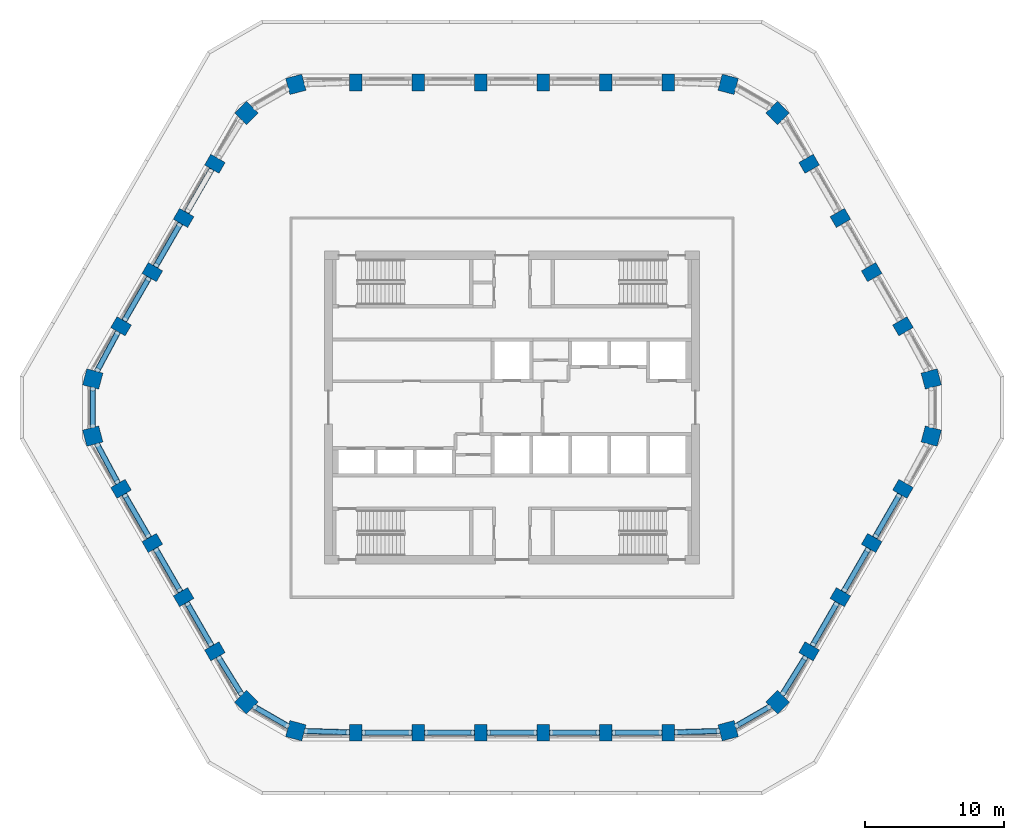
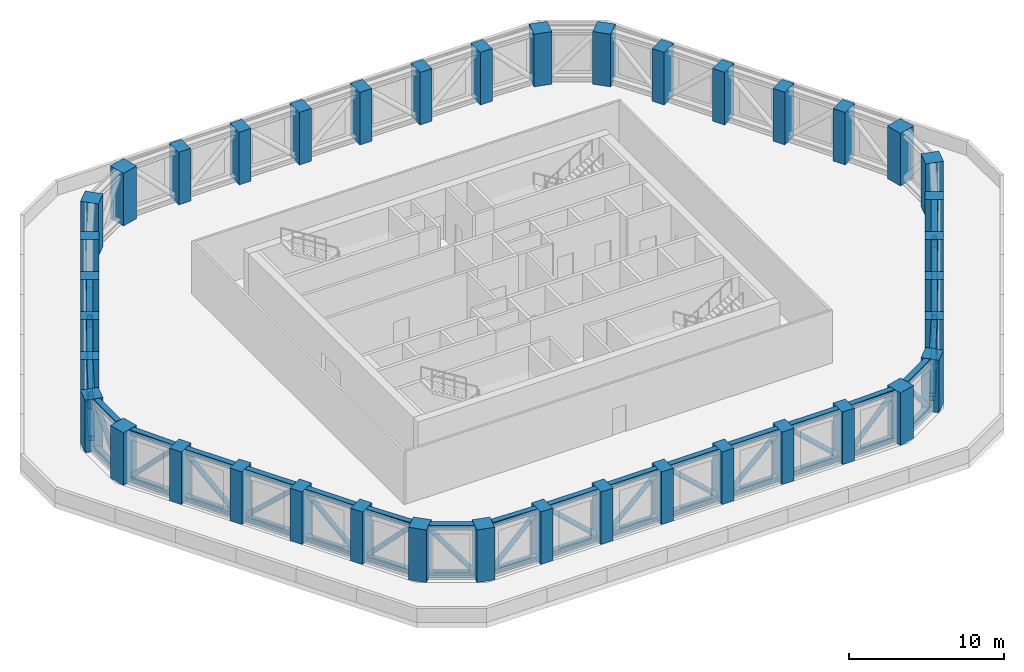
# One storey, part 1 of 14: 45 beams, 40 columns, 22 members.
"""IFC4 building model written with IfcOpenShell, lengths in metres."""

from ifc_helpers import new_model, si_unit, direction, frame, origin, origin_2d, place, context, subcontext, project, spatial, rectangle, hollow_circle, i_section, extrude, material, material_profile, profile_set, type_object, element, save


model = new_model("IFC4")

# Units and contexts
model_context = context("Model", 3, precision=1e-05, world=origin(), true_north=direction((0.0, 1.0)))
body_context = subcontext(model_context, "Body", "Model", "MODEL_VIEW")
ifc_project = project(units=[si_unit("LENGTHUNIT", "METRE"), si_unit("AREAUNIT", "SQUARE_METRE"), si_unit("VOLUMEUNIT", "CUBIC_METRE"), si_unit("PLANEANGLEUNIT", "RADIAN"), si_unit("MASSUNIT", "GRAM", prefix="KILO")], contexts=[model_context])

# Site, building, storey
site_placement = place(None, origin())
site = spatial("IfcSite", under=ifc_project, at=site_placement, CompositionType="ELEMENT")
building_placement = place(site_placement, origin())
building = spatial("IfcBuilding", under=site, at=building_placement, Name="Dhurran Vertical Campus", CompositionType="ELEMENT")
storey_placement = place(building_placement, frame((0.0, 0.0, 179.39990234375)))
storey = spatial("IfcBuildingStorey", under=building, at=storey_placement, Name="L44 Plant", CompositionType="ELEMENT", Elevation=179.39990234375)

# Columns
ifc_material_1 = material(Name="Concrete C60/75", Category="concrete")
ifc_material_profile_1 = material_profile(ifc_material_1, rectangle(XDim=1.199951171875, YDim=1.199951171875, at=origin_2d()), Name="RC 1200x1200")
ifc_profile_set_1 = profile_set([ifc_material_profile_1], Name="Concrete C60/75")
column_type_1 = type_object("IfcColumnType", Name="FR COL RC 1200x1200 C60/75", PredefinedType="COLUMN", material=ifc_profile_set_1)
for number, where, z_axis, x_axis, name in (
    (1, (-15.552978515625, -23.250732421875, 0.0), (0.0, 0.0, 1.0), (0.965925826289, -0.258819045103, 0.0), "Perimeter pier PP3.00"),
    (2, (15.552978515625, -23.250732421875, 0.0), (0.0, 0.0, 1.0), (0.965925826289, 0.258819045103, 0.0), "Perimeter pier PP3.07"),
    (3, (19.109130859375, -21.197509765625, 0.0), (0.0, 0.0, 1.0), (0.707106781187, 0.707106781187, 0.0), "Perimeter pier PP3.08"),
    (4, (30.162353515625, -2.052978515625, 0.0), (0.0, 0.0, 1.0), (0.258819045103, 0.965925826289, 0.0), "Perimeter pier PP3.13"),
    (5, (30.162353515625, 2.052978515625, 0.0), (0.0, 0.0, 1.0), (-0.258819045103, 0.965925826289, 0.0), "Perimeter pier PP3.14"),
    (6, (19.109130859375, 21.197509765625, 0.0), (0.0, 0.0, 1.0), (-0.707106781187, 0.707106781187, 0.0), "Perimeter pier PP3.19"),
    (7, (15.552978515625, 23.250732421875, 0.0), (0.0, 0.0, 1.0), (-0.965925826289, 0.258819045103, 0.0), "Perimeter pier PP3.20"),
    (8, (-15.552978515625, 23.250732421875, 0.0), (0.0, 0.0, 1.0), (-0.965925826289, -0.258819045103, 0.0), "Perimeter pier PP3.27"),
    (9, (-19.109130859375, 21.197509765625, 0.0), (0.0, 0.0, 1.0), (-0.707106781187, -0.707106781187, 0.0), "Perimeter pier PP3.28"),
    (10, (-30.162353515625, 2.052978515625, 0.0), (0.0, 0.0, 1.0), (-0.258819045103, -0.965925826289, 0.0), "Perimeter pier PP3.33"),
    (11, (-30.162353515625, -2.052978515625, 0.0), (0.0, 0.0, 1.0), (0.258819045103, -0.965925826289, 0.0), "Perimeter pier PP3.34"),
    (12, (-19.109130859375, -21.197509765625, 0.0), (0.0, 0.0, 1.0), (0.707106781187, -0.707106781187, 0.0), "Perimeter pier PP3.39"),
):
    element("IfcColumn", number, at=place(storey_placement, frame(where, z_axis=z_axis, x_axis=x_axis)), inside=storey, type_object=column_type_1, Name=name, PredefinedType="COLUMN", context=body_context, shape_type="SweptSolid", body=[
        extrude(rectangle(XDim=1.199951171875, YDim=1.199951171875, at=origin_2d()), origin(), (0.0, 0.0, 1.0), 4.150146484375),
    ])
ifc_material_2 = material(Name="Concrete C60/75", Category="concrete")
ifc_material_profile_2 = material_profile(ifc_material_2, rectangle(XDim=0.89990234375, YDim=1.199951171875, at=origin_2d()), Name="RC 900x1200")
ifc_profile_set_2 = profile_set([ifc_material_profile_2], Name="Concrete C60/75")
column_type_2 = type_object("IfcColumnType", Name="FR COL RC 900x1200 C60/75", PredefinedType="COLUMN", material=ifc_profile_set_2)
for number, where, z_axis, x_axis, name in (
    (13, (-11.25, -23.385498046875, 0.0), (0.0, 0.0, 1.0), (1.0, 0.0, 0.0), "Perimeter pier PP3.01"),
    (14, (-6.75, -23.385498046875, 0.0), (0.0, 0.0, 1.0), (1.0, 0.0, 0.0), "Perimeter pier PP3.02"),
    (15, (-2.25, -23.385498046875, 0.0), (0.0, 0.0, 1.0), (1.0, 0.0, 0.0), "Perimeter pier PP3.03"),
    (16, (2.25, -23.385498046875, 0.0), (0.0, 0.0, 1.0), (1.0, 0.0, 0.0), "Perimeter pier PP3.04"),
    (17, (6.75, -23.385498046875, 0.0), (0.0, 0.0, 1.0), (1.0, 0.0, 0.0), "Perimeter pier PP3.05"),
    (18, (11.25, -23.385498046875, 0.0), (0.0, 0.0, 1.0), (1.0, 0.0, 0.0), "Perimeter pier PP3.06"),
    (19, (21.37744140625, -17.53857421875, 0.0), (0.0, 0.0, 1.0), (0.5, 0.866025403784, 0.0), "Perimeter pier PP3.09"),
    (20, (23.62744140625, -13.641357421875, 0.0), (0.0, 0.0, 1.0), (0.5, 0.866025403784, 0.0), "Perimeter pier PP3.10"),
    (21, (25.87744140625, -9.744140625, 0.0), (0.0, 0.0, 1.0), (0.5, 0.866025403784, 0.0), "Perimeter pier PP3.11"),
    (22, (28.12744140625, -5.84716796875, 0.0), (0.0, 0.0, 1.0), (0.5, 0.866025403784, 0.0), "Perimeter pier PP3.12"),
    (23, (28.12744140625, 5.84716796875, 0.0), (0.0, 0.0, 1.0), (-0.5, 0.866025403784, 0.0), "Perimeter pier PP3.15"),
    (24, (25.87744140625, 9.744140625, 0.0), (0.0, 0.0, 1.0), (-0.5, 0.866025403784, 0.0), "Perimeter pier PP3.16"),
    (25, (23.62744140625, 13.641357421875, 0.0), (0.0, 0.0, 1.0), (-0.5, 0.866025403784, 0.0), "Perimeter pier PP3.17"),
    (26, (21.37744140625, 17.53857421875, 0.0), (0.0, 0.0, 1.0), (-0.5, 0.866025403784, 0.0), "Perimeter pier PP3.18"),
    (27, (11.25, 23.385498046875, 0.0), (0.0, 0.0, 1.0), (-1.0, 0.0, 0.0), "Perimeter pier PP3.21"),
    (28, (6.75, 23.385498046875, 0.0), (0.0, 0.0, 1.0), (-1.0, 0.0, 0.0), "Perimeter pier PP3.22"),
    (29, (2.25, 23.385498046875, 0.0), (0.0, 0.0, 1.0), (-1.0, 0.0, 0.0), "Perimeter pier PP3.23"),
    (30, (-2.25, 23.385498046875, 0.0), (0.0, 0.0, 1.0), (-1.0, 0.0, 0.0), "Perimeter pier PP3.24"),
    (31, (-6.75, 23.385498046875, 0.0), (0.0, 0.0, 1.0), (-1.0, 0.0, 0.0), "Perimeter pier PP3.25"),
    (32, (-11.25, 23.385498046875, 0.0), (0.0, 0.0, 1.0), (-1.0, 0.0, 0.0), "Perimeter pier PP3.26"),
    (33, (-21.37744140625, 17.53857421875, 0.0), (0.0, 0.0, 1.0), (-0.5, -0.866025403784, 0.0), "Perimeter pier PP3.29"),
    (34, (-23.62744140625, 13.641357421875, 0.0), (0.0, 0.0, 1.0), (-0.5, -0.866025403784, 0.0), "Perimeter pier PP3.30"),
    (35, (-25.87744140625, 9.744140625, 0.0), (0.0, 0.0, 1.0), (-0.5, -0.866025403784, 0.0), "Perimeter pier PP3.31"),
    (36, (-28.12744140625, 5.84716796875, 0.0), (0.0, 0.0, 1.0), (-0.5, -0.866025403784, 0.0), "Perimeter pier PP3.32"),
    (37, (-28.12744140625, -5.84716796875, 0.0), (0.0, 0.0, 1.0), (0.5, -0.866025403784, 0.0), "Perimeter pier PP3.35"),
    (38, (-25.87744140625, -9.744140625, 0.0), (0.0, 0.0, 1.0), (0.5, -0.866025403784, 0.0), "Perimeter pier PP3.36"),
    (39, (-23.62744140625, -13.641357421875, 0.0), (0.0, 0.0, 1.0), (0.5, -0.866025403784, 0.0), "Perimeter pier PP3.37"),
    (40, (-21.37744140625, -17.53857421875, 0.0), (0.0, 0.0, 1.0), (0.5, -0.866025403784, 0.0), "Perimeter pier PP3.38"),
):
    element("IfcColumn", number, at=place(storey_placement, frame(where, z_axis=z_axis, x_axis=x_axis)), inside=storey, type_object=column_type_2, Name=name, PredefinedType="COLUMN", context=body_context, shape_type="SweptSolid", body=[
        extrude(rectangle(XDim=0.89990234375, YDim=1.199951171875, at=origin_2d()), origin(), (0.0, 0.0, 1.0), 4.150146484375),
    ])

# Beams
ifc_material_3 = material(Name="Steel ASTM A992", Category="steel")
ifc_material_profile_3 = material_profile(ifc_material_3, i_section(OverallWidth=0.404052734375, OverallDepth=0.406982421875, WebThickness=0.027099609375, FlangeThickness=0.043701171875, at=origin_2d()), Name="W360x347")
ifc_profile_set_3 = profile_set([ifc_material_profile_3], Name="Steel ASTM A992")
beam_type = type_object("IfcBeamType", Name="FR BELT CHORD W360x347", PredefinedType="BEAM", material=ifc_profile_set_3)
for number, where, z_axis, x_axis, name in (
    (41, (-14.93701171875, -23.27001953125, 0.20361328125), (0.999508170432, -0.031359484041, 0.0), (0.031359484041, 0.999508170432, 0.0), "Belt truss chord L44"),
    (42, (-14.93701171875, -23.27001953125, 3.946533203125), (0.999508170432, -0.031359484041, 0.0), (0.031359484041, 0.999508170432, 0.0), "Belt truss chord L44"),
):
    element("IfcBeam", number, at=place(storey_placement, frame(where, z_axis=z_axis, x_axis=x_axis)), inside=storey, type_object=beam_type, Name=name, PredefinedType="BEAM", context=body_context, shape_type="SweptSolid", body=[
        extrude(i_section(OverallWidth=0.404052734375, OverallDepth=0.406982421875, WebThickness=0.027099609375, FlangeThickness=0.043701171875, at=origin_2d()), origin(), (0.0, 0.0, 1.0), 3.23876953125),
    ])
for number, where, z_axis, x_axis, name in (
    (43, (-10.800048828125, -23.385498046875, 0.20361328125), (1.0, 0.0, 0.0), (0.0, 1.0, 0.0), "Belt truss chord L44"),
    (44, (-10.800048828125, -23.385498046875, 3.946533203125), (1.0, 0.0, 0.0), (0.0, 1.0, 0.0), "Belt truss chord L44"),
    (45, (-6.300048828125, -23.385498046875, 0.20361328125), (1.0, 0.0, 0.0), (0.0, 1.0, 0.0), "Belt truss chord L44"),
    (46, (-6.300048828125, -23.385498046875, 3.946533203125), (1.0, 0.0, 0.0), (0.0, 1.0, 0.0), "Belt truss chord L44"),
    (47, (-1.800048828125, -23.385498046875, 0.20361328125), (1.0, 0.0, 0.0), (0.0, 1.0, 0.0), "Belt truss chord L44"),
    (48, (-1.800048828125, -23.385498046875, 3.946533203125), (1.0, 0.0, 0.0), (0.0, 1.0, 0.0), "Belt truss chord L44"),
    (49, (2.699951171875, -23.385498046875, 0.20361328125), (1.0, 0.0, 0.0), (0.0, 1.0, 0.0), "Belt truss chord L44"),
    (50, (2.699951171875, -23.385498046875, 3.946533203125), (1.0, 0.0, 0.0), (0.0, 1.0, 0.0), "Belt truss chord L44"),
    (51, (7.199951171875, -23.385498046875, 0.20361328125), (1.0, 0.0, 0.0), (0.0, 1.0, 0.0), "Belt truss chord L44"),
    (52, (7.199951171875, -23.385498046875, 3.946533203125), (1.0, 0.0, 0.0), (0.0, 1.0, 0.0), "Belt truss chord L44"),
):
    element("IfcBeam", number, at=place(storey_placement, frame(where, z_axis=z_axis, x_axis=x_axis)), inside=storey, type_object=beam_type, Name=name, PredefinedType="BEAM", context=body_context, shape_type="SweptSolid", body=[
        extrude(i_section(OverallWidth=0.404052734375, OverallDepth=0.406982421875, WebThickness=0.027099609375, FlangeThickness=0.043701171875, at=origin_2d()), origin(), (0.0, 0.0, 1.0), 3.60009765625),
    ])
for number, where, z_axis, x_axis, name in (
    (53, (11.699951171875, -23.37158203125, 0.20361328125), (0.999508170432, 0.031359484041, 0.0), (-0.031359484041, 0.999508170432, 0.0), "Belt truss chord L44"),
    (54, (11.699951171875, -23.37158203125, 3.946533203125), (0.999508170432, 0.031359484041, 0.0), (-0.031359484041, 0.999508170432, 0.0), "Belt truss chord L44"),
):
    element("IfcBeam", number, at=place(storey_placement, frame(where, z_axis=z_axis, x_axis=x_axis)), inside=storey, type_object=beam_type, Name=name, PredefinedType="BEAM", context=body_context, shape_type="SweptSolid", body=[
        extrude(i_section(OverallWidth=0.404052734375, OverallDepth=0.406982421875, WebThickness=0.027099609375, FlangeThickness=0.043701171875, at=origin_2d()), origin(), (0.0, 0.0, 1.0), 3.23876953125),
    ])
for number, where, z_axis, x_axis, name in (
    (55, (16.091064453125, -22.940185546875, 0.20361328125), (0.866036528751, 0.499980730498, 0.0), (-0.499980730498, 0.866036528751, 0.0), "Belt truss chord L44"),
    (56, (16.091064453125, -22.940185546875, 3.946533203125), (0.866036528751, 0.499980730498, 0.0), (-0.499980730498, 0.866036528751, 0.0), "Belt truss chord L44"),
):
    element("IfcBeam", number, at=place(storey_placement, frame(where, z_axis=z_axis, x_axis=x_axis)), inside=storey, type_object=beam_type, Name=name, PredefinedType="BEAM", context=body_context, shape_type="SweptSolid", body=[
        extrude(i_section(OverallWidth=0.404052734375, OverallDepth=0.406982421875, WebThickness=0.027099609375, FlangeThickness=0.043701171875, at=origin_2d()), origin(), (0.0, 0.0, 1.0), 2.86376953125),
    ])
for number, where, z_axis, x_axis, name in (
    (57, (19.433837890625, -20.673828125, 0.20361328125), (0.526912443478, 0.849919570846, 0.0), (-0.849919570846, 0.526912443478, 0.0), "Belt truss chord L44"),
    (58, (19.433837890625, -20.673828125, 3.946533203125), (0.526912443478, 0.849919570846, 0.0), (-0.849919570846, 0.526912443478, 0.0), "Belt truss chord L44"),
):
    element("IfcBeam", number, at=place(storey_placement, frame(where, z_axis=z_axis, x_axis=x_axis)), inside=storey, type_object=beam_type, Name=name, PredefinedType="BEAM", context=body_context, shape_type="SweptSolid", body=[
        extrude(i_section(OverallWidth=0.404052734375, OverallDepth=0.406982421875, WebThickness=0.027099609375, FlangeThickness=0.043701171875, at=origin_2d()), origin(), (0.0, 0.0, 1.0), 3.23876953125),
    ])
for number, where, z_axis, x_axis, name in (
    (59, (21.6025390625, -17.148681640625, 0.20361328125), (0.500012057535, 0.866018442252, 0.0), (-0.866018442252, 0.500012057535, 0.0), "Belt truss chord L44"),
    (60, (21.6025390625, -17.148681640625, 3.946533203125), (0.500012057535, 0.866018442252, 0.0), (-0.866018442252, 0.500012057535, 0.0), "Belt truss chord L44"),
):
    element("IfcBeam", number, at=place(storey_placement, frame(where, z_axis=z_axis, x_axis=x_axis)), inside=storey, type_object=beam_type, Name=name, PredefinedType="BEAM", context=body_context, shape_type="SweptSolid", body=[
        extrude(i_section(OverallWidth=0.404052734375, OverallDepth=0.406982421875, WebThickness=0.027099609375, FlangeThickness=0.043701171875, at=origin_2d()), origin(), (0.0, 0.0, 1.0), 3.60009765625),
    ])
for number, where, z_axis, x_axis, name in (
    (61, (23.8525390625, -13.251708984375, 0.20361328125), (0.499982693035, 0.866035395735, 0.0), (-0.866035395735, 0.499982693035, 0.0), "Belt truss chord L44"),
    (62, (23.8525390625, -13.251708984375, 3.946533203125), (0.499982693035, 0.866035395735, 0.0), (-0.866035395735, 0.499982693035, 0.0), "Belt truss chord L44"),
):
    element("IfcBeam", number, at=place(storey_placement, frame(where, z_axis=z_axis, x_axis=x_axis)), inside=storey, type_object=beam_type, Name=name, PredefinedType="BEAM", context=body_context, shape_type="SweptSolid", body=[
        extrude(i_section(OverallWidth=0.404052734375, OverallDepth=0.406982421875, WebThickness=0.027099609375, FlangeThickness=0.043701171875, at=origin_2d()), origin(), (0.0, 0.0, 1.0), 3.600341796875),
    ])
for number, where, z_axis, x_axis, name in (
    (63, (26.1025390625, -9.3544921875, 0.20361328125), (0.500012057535, 0.866018442252, 0.0), (-0.866018442252, 0.500012057535, 0.0), "Belt truss chord L44"),
    (64, (26.1025390625, -9.3544921875, 3.946533203125), (0.500012057535, 0.866018442252, 0.0), (-0.866018442252, 0.500012057535, 0.0), "Belt truss chord L44"),
    (65, (-21.6025390625, 17.148681640625, 0.20361328125), (-0.500012057535, -0.866018442252, 0.0), (0.866018442252, -0.500012057535, 0.0), "Belt truss chord L44"),
):
    element("IfcBeam", number, at=place(storey_placement, frame(where, z_axis=z_axis, x_axis=x_axis)), inside=storey, type_object=beam_type, Name=name, PredefinedType="BEAM", context=body_context, shape_type="SweptSolid", body=[
        extrude(i_section(OverallWidth=0.404052734375, OverallDepth=0.406982421875, WebThickness=0.027099609375, FlangeThickness=0.043701171875, at=origin_2d()), origin(), (0.0, 0.0, 1.0), 3.60009765625),
    ])
for number, where, z_axis, x_axis, name in (
    (66, (-23.8525390625, 13.251708984375, 0.20361328125), (-0.499982693035, -0.866035395735, 0.0), (0.866035395735, -0.499982693035, 0.0), "Belt truss chord L44"),
    (67, (-23.8525390625, 13.251708984375, 3.946533203125), (-0.499982693035, -0.866035395735, 0.0), (0.866035395735, -0.499982693035, 0.0), "Belt truss chord L44"),
):
    element("IfcBeam", number, at=place(storey_placement, frame(where, z_axis=z_axis, x_axis=x_axis)), inside=storey, type_object=beam_type, Name=name, PredefinedType="BEAM", context=body_context, shape_type="SweptSolid", body=[
        extrude(i_section(OverallWidth=0.404052734375, OverallDepth=0.406982421875, WebThickness=0.027099609375, FlangeThickness=0.043701171875, at=origin_2d()), origin(), (0.0, 0.0, 1.0), 3.600341796875),
    ])
for number, where, z_axis, x_axis, name in (
    (68, (-26.1025390625, 9.3544921875, 0.20361328125), (-0.500012057535, -0.866018442252, 0.0), (0.866018442252, -0.500012057535, 0.0), "Belt truss chord L44"),
    (69, (-26.1025390625, 9.3544921875, 3.946533203125), (-0.500012057535, -0.866018442252, 0.0), (0.866018442252, -0.500012057535, 0.0), "Belt truss chord L44"),
):
    element("IfcBeam", number, at=place(storey_placement, frame(where, z_axis=z_axis, x_axis=x_axis)), inside=storey, type_object=beam_type, Name=name, PredefinedType="BEAM", context=body_context, shape_type="SweptSolid", body=[
        extrude(i_section(OverallWidth=0.404052734375, OverallDepth=0.406982421875, WebThickness=0.027099609375, FlangeThickness=0.043701171875, at=origin_2d()), origin(), (0.0, 0.0, 1.0), 3.60009765625),
    ])
for number, where, z_axis, x_axis, name in (
    (70, (-28.34033203125, 5.4501953125, 0.20361328125), (-0.472660660824, -0.881244517549, 0.0), (0.881244517549, -0.472660660824, 0.0), "Belt truss chord L44"),
    (71, (-28.34033203125, 5.4501953125, 3.946533203125), (-0.472660660824, -0.881244517549, 0.0), (0.881244517549, -0.472660660824, 0.0), "Belt truss chord L44"),
):
    element("IfcBeam", number, at=place(storey_placement, frame(where, z_axis=z_axis, x_axis=x_axis)), inside=storey, type_object=beam_type, Name=name, PredefinedType="BEAM", context=body_context, shape_type="SweptSolid", body=[
        extrude(i_section(OverallWidth=0.404052734375, OverallDepth=0.406982421875, WebThickness=0.027099609375, FlangeThickness=0.043701171875, at=origin_2d()), origin(), (0.0, 0.0, 1.0), 3.238525390625),
    ])
for number, where, z_axis, x_axis, name in (
    (72, (-30.162353515625, 1.431884765625, 0.20361328125), (0.0, -1.0, 0.0), (1.0, 0.0, 0.0), "Belt truss chord L44"),
    (73, (-30.162353515625, 1.431884765625, 3.946533203125), (0.0, -1.0, 0.0), (1.0, 0.0, 0.0), "Belt truss chord L44"),
):
    element("IfcBeam", number, at=place(storey_placement, frame(where, z_axis=z_axis, x_axis=x_axis)), inside=storey, type_object=beam_type, Name=name, PredefinedType="BEAM", context=body_context, shape_type="SweptSolid", body=[
        extrude(i_section(OverallWidth=0.404052734375, OverallDepth=0.406982421875, WebThickness=0.027099609375, FlangeThickness=0.043701171875, at=origin_2d()), origin(), (0.0, 0.0, 1.0), 2.86376953125),
    ])
for number, where, z_axis, x_axis, name in (
    (74, (-29.87109375, -2.59619140625, 0.20361328125), (0.472660660824, -0.881244517549, 0.0), (0.881244517549, 0.472660660824, 0.0), "Belt truss chord L44"),
    (75, (-29.87109375, -2.59619140625, 3.946533203125), (0.472660660824, -0.881244517549, 0.0), (0.881244517549, 0.472660660824, 0.0), "Belt truss chord L44"),
):
    element("IfcBeam", number, at=place(storey_placement, frame(where, z_axis=z_axis, x_axis=x_axis)), inside=storey, type_object=beam_type, Name=name, PredefinedType="BEAM", context=body_context, shape_type="SweptSolid", body=[
        extrude(i_section(OverallWidth=0.404052734375, OverallDepth=0.406982421875, WebThickness=0.027099609375, FlangeThickness=0.043701171875, at=origin_2d()), origin(), (0.0, 0.0, 1.0), 3.238525390625),
    ])
for number, where, z_axis, x_axis, name in (
    (76, (-27.902587890625, -6.23681640625, 0.20361328125), (0.500012057535, -0.866018442252, 0.0), (0.866018442252, 0.500012057535, 0.0), "Belt truss chord L44"),
    (77, (-27.902587890625, -6.23681640625, 3.946533203125), (0.500012057535, -0.866018442252, 0.0), (0.866018442252, 0.500012057535, 0.0), "Belt truss chord L44"),
):
    element("IfcBeam", number, at=place(storey_placement, frame(where, z_axis=z_axis, x_axis=x_axis)), inside=storey, type_object=beam_type, Name=name, PredefinedType="BEAM", context=body_context, shape_type="SweptSolid", body=[
        extrude(i_section(OverallWidth=0.404052734375, OverallDepth=0.406982421875, WebThickness=0.027099609375, FlangeThickness=0.043701171875, at=origin_2d()), origin(), (0.0, 0.0, 1.0), 3.60009765625),
    ])
for number, where, z_axis, x_axis, name in (
    (78, (-25.652587890625, -10.1337890625, 0.20361328125), (0.499982693035, -0.866035395735, 0.0), (0.866035395735, 0.499982693035, 0.0), "Belt truss chord L44"),
    (79, (-25.652587890625, -10.1337890625, 3.946533203125), (0.499982693035, -0.866035395735, 0.0), (0.866035395735, 0.499982693035, 0.0), "Belt truss chord L44"),
):
    element("IfcBeam", number, at=place(storey_placement, frame(where, z_axis=z_axis, x_axis=x_axis)), inside=storey, type_object=beam_type, Name=name, PredefinedType="BEAM", context=body_context, shape_type="SweptSolid", body=[
        extrude(i_section(OverallWidth=0.404052734375, OverallDepth=0.406982421875, WebThickness=0.027099609375, FlangeThickness=0.043701171875, at=origin_2d()), origin(), (0.0, 0.0, 1.0), 3.600341796875),
    ])
for number, where, z_axis, x_axis, name in (
    (80, (-23.402587890625, -14.031005859375, 0.20361328125), (0.500012057535, -0.866018442252, 0.0), (0.866018442252, 0.500012057535, 0.0), "Belt truss chord L44"),
    (81, (-23.402587890625, -14.031005859375, 3.946533203125), (0.500012057535, -0.866018442252, 0.0), (0.866018442252, 0.500012057535, 0.0), "Belt truss chord L44"),
):
    element("IfcBeam", number, at=place(storey_placement, frame(where, z_axis=z_axis, x_axis=x_axis)), inside=storey, type_object=beam_type, Name=name, PredefinedType="BEAM", context=body_context, shape_type="SweptSolid", body=[
        extrude(i_section(OverallWidth=0.404052734375, OverallDepth=0.406982421875, WebThickness=0.027099609375, FlangeThickness=0.043701171875, at=origin_2d()), origin(), (0.0, 0.0, 1.0), 3.60009765625),
    ])
for number, where, z_axis, x_axis, name in (
    (82, (-21.140380859375, -17.921142578125, 0.20361328125), (0.526912443478, -0.849919570846, 0.0), (0.849919570846, 0.526912443478, 0.0), "Belt truss chord L44"),
    (83, (-21.140380859375, -17.921142578125, 3.946533203125), (0.526912443478, -0.849919570846, 0.0), (0.849919570846, 0.526912443478, 0.0), "Belt truss chord L44"),
):
    element("IfcBeam", number, at=place(storey_placement, frame(where, z_axis=z_axis, x_axis=x_axis)), inside=storey, type_object=beam_type, Name=name, PredefinedType="BEAM", context=body_context, shape_type="SweptSolid", body=[
        extrude(i_section(OverallWidth=0.404052734375, OverallDepth=0.406982421875, WebThickness=0.027099609375, FlangeThickness=0.043701171875, at=origin_2d()), origin(), (0.0, 0.0, 1.0), 3.23876953125),
    ])
for number, where, z_axis, x_axis, name in (
    (84, (-18.5712890625, -21.50830078125, 0.20361328125), (0.866036528751, -0.499980730498, 0.0), (0.499980730498, 0.866036528751, 0.0), "Belt truss chord L44"),
    (85, (-18.5712890625, -21.50830078125, 3.946533203125), (0.866036528751, -0.499980730498, 0.0), (0.499980730498, 0.866036528751, 0.0), "Belt truss chord L44"),
):
    element("IfcBeam", number, at=place(storey_placement, frame(where, z_axis=z_axis, x_axis=x_axis)), inside=storey, type_object=beam_type, Name=name, PredefinedType="BEAM", context=body_context, shape_type="SweptSolid", body=[
        extrude(i_section(OverallWidth=0.404052734375, OverallDepth=0.406982421875, WebThickness=0.027099609375, FlangeThickness=0.043701171875, at=origin_2d()), origin(), (0.0, 0.0, 1.0), 2.86376953125),
    ])

# Members
ifc_material_4 = material(Name="Steel S355J2H", Category="steel")
ifc_material_profile_4 = material_profile(ifc_material_4, hollow_circle(Radius=0.177734375, WallThickness=0.01611328125, at=origin_2d()), Name="CHS355.6x16")
ifc_profile_set_4 = profile_set([ifc_material_profile_4], Name="Steel S355J2H")
member_type = type_object("IfcMemberType", Name="FR BELT DIAGONAL CHS355.6x16", PredefinedType="BRACE", material=ifc_profile_set_4)
member_1_placement = place(storey_placement, frame((-14.81689453125, -23.273681640625, 0.531005859375), z_axis=(0.696194170854, -0.021837604349, 0.717521285751), x_axis=(0.03135169787, 0.999508414692, 0.0)))
element("IfcMember", 86, at=member_1_placement, inside=storey, type_object=member_type, Name="Belt truss diagonal L44", PredefinedType="BRACE", context=body_context, shape_type="SweptSolid", body=[
    extrude(hollow_circle(Radius=0.177734375, WallThickness=0.01611328125, at=origin_2d()), origin(), (0.0, 0.0, 1.0), 4.30419921875),
])
for number, where, z_axis, x_axis, name in (
    (87, (-7.3408203125, -23.385498046875, 0.53759765625), (-0.73346966704, 0.0, 0.679722184081), (0.0, -1.0, 0.0), "Belt truss diagonal L44"),
    (88, (-6.1591796875, -23.385498046875, 0.53759765625), (0.73346966704, 0.0, 0.679722184081), (0.0, 1.0, 0.0), "Belt truss diagonal L44"),
    (89, (1.6591796875, -23.385498046875, 0.53759765625), (-0.73346966704, 0.0, 0.679722184081), (0.0, -1.0, 0.0), "Belt truss diagonal L44"),
    (90, (2.8408203125, -23.385498046875, 0.53759765625), (0.73346966704, 0.0, 0.679722184081), (0.0, 1.0, 0.0), "Belt truss diagonal L44"),
    (91, (10.6591796875, -23.385498046875, 0.53759765625), (-0.73346966704, 0.0, 0.679722184081), (0.0, -1.0, 0.0), "Belt truss diagonal L44"),
):
    element("IfcMember", number, at=place(storey_placement, frame(where, z_axis=z_axis, x_axis=x_axis)), inside=storey, type_object=member_type, Name=name, PredefinedType="BRACE", context=body_context, shape_type="SweptSolid", body=[
        extrude(hollow_circle(Radius=0.177734375, WallThickness=0.01611328125, at=origin_2d()), origin(), (0.0, 0.0, 1.0), 4.524169921875),
    ])
member_2_placement = place(storey_placement, frame((11.8203125, -23.36767578125, 0.531005859375), z_axis=(0.696194170854, 0.021837604349, 0.717521285751), x_axis=(-0.03135169787, 0.999508414692, 0.0)))
element("IfcMember", 92, at=member_2_placement, inside=storey, type_object=member_type, Name="Belt truss diagonal L44", PredefinedType="BRACE", context=body_context, shape_type="SweptSolid", body=[
    extrude(hollow_circle(Radius=0.177734375, WallThickness=0.01611328125, at=origin_2d()), origin(), (0.0, 0.0, 1.0), 4.30419921875),
])
member_3_placement = place(storey_placement, frame((18.485107421875, -21.557861328125, 0.52294921875), z_axis=(-0.564099204505, -0.325701201543, 0.758756097036), x_axis=(0.500021155841, -0.86601318911, 0.0)))
element("IfcMember", 93, at=member_3_placement, inside=storey, type_object=member_type, Name="Belt truss diagonal L44", PredefinedType="BRACE", context=body_context, shape_type="SweptSolid", body=[
    extrude(hollow_circle(Radius=0.177734375, WallThickness=0.01611328125, at=origin_2d()), origin(), (0.0, 0.0, 1.0), 4.09130859375),
])
member_4_placement = place(storey_placement, frame((19.497314453125, -20.571533203125, 0.531005859375), z_axis=(0.366989582697, 0.592004679229, 0.717529864161), x_axis=(-0.849936972138, 0.526884373837, 0.0)))
element("IfcMember", 94, at=member_4_placement, inside=storey, type_object=member_type, Name="Belt truss diagonal L44", PredefinedType="BRACE", context=body_context, shape_type="SweptSolid", body=[
    extrude(hollow_circle(Radius=0.177734375, WallThickness=0.01611328125, at=origin_2d()), origin(), (0.0, 0.0, 1.0), 4.30419921875),
])
member_5_placement = place(storey_placement, frame((23.33203125, -14.15283203125, 0.53759765625), z_axis=(-0.366722480132, -0.635234996485, 0.679699287778), x_axis=(0.866043477274, -0.499968694491, 0.0)))
element("IfcMember", 95, at=member_5_placement, inside=storey, type_object=member_type, Name="Belt truss diagonal L44", PredefinedType="BRACE", context=body_context, shape_type="SweptSolid", body=[
    extrude(hollow_circle(Radius=0.177734375, WallThickness=0.01611328125, at=origin_2d()), origin(), (0.0, 0.0, 1.0), 4.5244140625),
])
member_6_placement = place(storey_placement, frame((23.9228515625, -13.129638671875, 0.53759765625), z_axis=(0.366735050847, 0.635202808052, 0.679722586885), x_axis=(-0.866025085798, 0.500000550768, 0.0)))
element("IfcMember", 96, at=member_6_placement, inside=storey, type_object=member_type, Name="Belt truss diagonal L44", PredefinedType="BRACE", context=body_context, shape_type="SweptSolid", body=[
    extrude(hollow_circle(Radius=0.177734375, WallThickness=0.01611328125, at=origin_2d()), origin(), (0.0, 0.0, 1.0), 4.524169921875),
])
member_7_placement = place(storey_placement, frame((27.83203125, -6.358642578125, 0.53759765625), z_axis=(-0.366722480132, -0.635234996485, 0.679699287778), x_axis=(0.866043477274, -0.499968694491, 0.0)))
element("IfcMember", 97, at=member_7_placement, inside=storey, type_object=member_type, Name="Belt truss diagonal L44", PredefinedType="BRACE", context=body_context, shape_type="SweptSolid", body=[
    extrude(hollow_circle(Radius=0.177734375, WallThickness=0.01611328125, at=origin_2d()), origin(), (0.0, 0.0, 1.0), 4.5244140625),
])
member_8_placement = place(storey_placement, frame((-23.9228515625, 13.129638671875, 0.53759765625), z_axis=(-0.366735050847, -0.635202808052, 0.679722586885), x_axis=(0.866025085798, -0.500000550768, 0.0)))
element("IfcMember", 98, at=member_8_placement, inside=storey, type_object=member_type, Name="Belt truss diagonal L44", PredefinedType="BRACE", context=body_context, shape_type="SweptSolid", body=[
    extrude(hollow_circle(Radius=0.177734375, WallThickness=0.01611328125, at=origin_2d()), origin(), (0.0, 0.0, 1.0), 4.524169921875),
])
member_9_placement = place(storey_placement, frame((-27.83203125, 6.358642578125, 0.53759765625), z_axis=(0.366722480132, 0.635234996485, 0.679699287778), x_axis=(-0.866043477274, 0.499968694491, 0.0)))
element("IfcMember", 99, at=member_9_placement, inside=storey, type_object=member_type, Name="Belt truss diagonal L44", PredefinedType="BRACE", context=body_context, shape_type="SweptSolid", body=[
    extrude(hollow_circle(Radius=0.177734375, WallThickness=0.01611328125, at=origin_2d()), origin(), (0.0, 0.0, 1.0), 4.5244140625),
])
member_10_placement = place(storey_placement, frame((-28.397216796875, 5.344482421875, 0.531005859375), z_axis=(-0.329196031442, -0.613867789163, 0.717493073354), x_axis=(0.881277735554, -0.472598722827, 0.0)))
element("IfcMember", 100, at=member_10_placement, inside=storey, type_object=member_type, Name="Belt truss diagonal L44", PredefinedType="BRACE", context=body_context, shape_type="SweptSolid", body=[
    extrude(hollow_circle(Radius=0.177734375, WallThickness=0.01611328125, at=origin_2d()), origin(), (0.0, 0.0, 1.0), 4.304443359375),
])
member_11_placement = place(storey_placement, frame((-30.162353515625, -1.33251953125, 0.52294921875), z_axis=(0.0, 0.651390708925, 0.758742475631), x_axis=(-1.0, 0.0, 0.0)))
element("IfcMember", 101, at=member_11_placement, inside=storey, type_object=member_type, Name="Belt truss diagonal L44", PredefinedType="BRACE", context=body_context, shape_type="SweptSolid", body=[
    extrude(hollow_circle(Radius=0.177734375, WallThickness=0.01611328125, at=origin_2d()), origin(), (0.0, 0.0, 1.0), 4.09130859375),
])
member_12_placement = place(storey_placement, frame((-29.814208984375, -2.7021484375, 0.531005859375), z_axis=(0.329196031442, -0.613867789163, 0.717493073354), x_axis=(0.881277735554, 0.472598722827, 0.0)))
element("IfcMember", 102, at=member_12_placement, inside=storey, type_object=member_type, Name="Belt truss diagonal L44", PredefinedType="BRACE", context=body_context, shape_type="SweptSolid", body=[
    extrude(hollow_circle(Radius=0.177734375, WallThickness=0.01611328125, at=origin_2d()), origin(), (0.0, 0.0, 1.0), 4.304443359375),
])
member_13_placement = place(storey_placement, frame((-26.1728515625, -9.232666015625, 0.53759765625), z_axis=(-0.366722480132, 0.635234996485, 0.679699287778), x_axis=(-0.866043477274, -0.499968694491, 0.0)))
element("IfcMember", 103, at=member_13_placement, inside=storey, type_object=member_type, Name="Belt truss diagonal L44", PredefinedType="BRACE", context=body_context, shape_type="SweptSolid", body=[
    extrude(hollow_circle(Radius=0.177734375, WallThickness=0.01611328125, at=origin_2d()), origin(), (0.0, 0.0, 1.0), 4.5244140625),
])
member_14_placement = place(storey_placement, frame((-25.58203125, -10.255859375, 0.53759765625), z_axis=(0.366735050847, -0.635202808052, 0.679722586885), x_axis=(0.866025085798, 0.500000550768, 0.0)))
element("IfcMember", 104, at=member_14_placement, inside=storey, type_object=member_type, Name="Belt truss diagonal L44", PredefinedType="BRACE", context=body_context, shape_type="SweptSolid", body=[
    extrude(hollow_circle(Radius=0.177734375, WallThickness=0.01611328125, at=origin_2d()), origin(), (0.0, 0.0, 1.0), 4.524169921875),
])
member_15_placement = place(storey_placement, frame((-21.6728515625, -17.02685546875, 0.53759765625), z_axis=(-0.366722480132, 0.635234996485, 0.679699287778), x_axis=(-0.866043477274, -0.499968694491, 0.0)))
element("IfcMember", 105, at=member_15_placement, inside=storey, type_object=member_type, Name="Belt truss diagonal L44", PredefinedType="BRACE", context=body_context, shape_type="SweptSolid", body=[
    extrude(hollow_circle(Radius=0.177734375, WallThickness=0.01611328125, at=origin_2d()), origin(), (0.0, 0.0, 1.0), 4.5244140625),
])
member_16_placement = place(storey_placement, frame((-21.076904296875, -18.0234375, 0.531005859375), z_axis=(0.366989582697, -0.592004679229, 0.717529864161), x_axis=(0.849936972138, 0.526884373837, 0.0)))
element("IfcMember", 106, at=member_16_placement, inside=storey, type_object=member_type, Name="Belt truss diagonal L44", PredefinedType="BRACE", context=body_context, shape_type="SweptSolid", body=[
    extrude(hollow_circle(Radius=0.177734375, WallThickness=0.01611328125, at=origin_2d()), origin(), (0.0, 0.0, 1.0), 4.30419921875),
])
member_17_placement = place(storey_placement, frame((-16.17724609375, -22.890380859375, 0.52294921875), z_axis=(-0.564099204505, 0.325701201543, 0.758756097036), x_axis=(-0.500021155841, -0.86601318911, 0.0)))
element("IfcMember", 107, at=member_17_placement, inside=storey, type_object=member_type, Name="Belt truss diagonal L44", PredefinedType="BRACE", context=body_context, shape_type="SweptSolid", body=[
    extrude(hollow_circle(Radius=0.177734375, WallThickness=0.01611328125, at=origin_2d()), origin(), (0.0, 0.0, 1.0), 4.09130859375),
])

save(model, "model.ifc")
